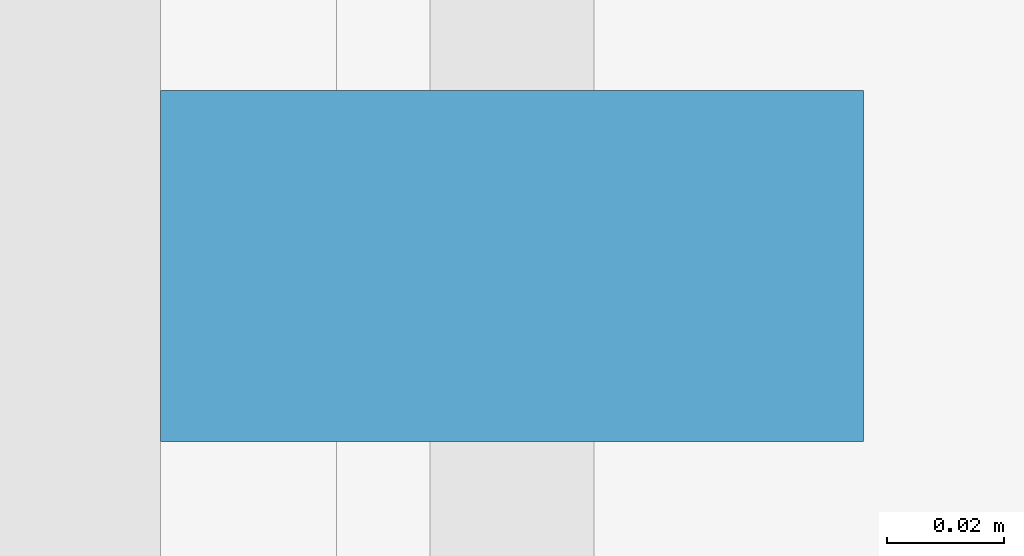
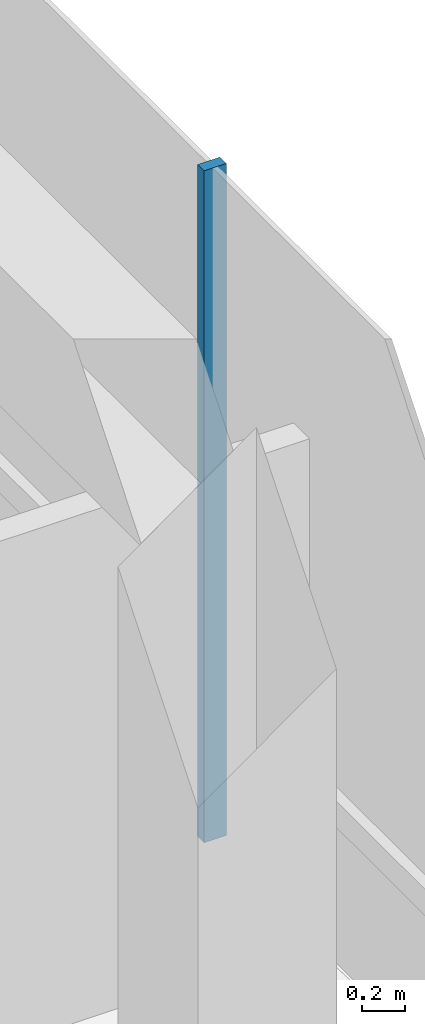
# One storey, part 14 of 23: 1 member, 1 element without a shape of its own.
"""IFC4 building model written with IfcOpenShell, lengths in metres."""

from ifc_helpers import new_model, si_unit, direction, frame, origin, origin_2d, place, context, subcontext, project, spatial, rectangle, extrude, material, layer, layer_set, material_profile, profile_set, type_object, element, aggregate, save


model = new_model("IFC4")

# Units and contexts
model_context = context("Model", 3, precision=1e-05, world=origin(), true_north=direction((0.0, 1.0)))
body_context = subcontext(model_context, "Body", "Model", "MODEL_VIEW")
ifc_project = project(units=[si_unit("LENGTHUNIT", "METRE"), si_unit("AREAUNIT", "SQUARE_METRE"), si_unit("VOLUMEUNIT", "CUBIC_METRE"), si_unit("PLANEANGLEUNIT", "RADIAN"), si_unit("MASSUNIT", "GRAM", prefix="KILO")], contexts=[model_context])

# Site, building, storey
site_placement = place(None, origin())
site = spatial("IfcSite", under=ifc_project, at=site_placement, CompositionType="ELEMENT")
building_placement = place(site_placement, origin())
building = spatial("IfcBuilding", under=site, at=building_placement, Name="Welwitschia Terrace Campus", CompositionType="ELEMENT")
storey_placement = place(building_placement, frame((0.0, 0.0, 306.199951171875)))
storey = spatial("IfcBuildingStorey", under=building, at=storey_placement, Name="L68", CompositionType="ELEMENT", Elevation=306.199951171875)

# Curtain wall, member
ifc_material_1 = material(Name="Bronze anodised aluminium", Category="aluminium")
ifc_layer = layer(ifc_material_1, 0.1201171875)
ifc_layer_set = layer_set([ifc_layer], Name="Bronze anodised aluminium")
curtain_wall_type = type_object("IfcCurtainWallType", Name="Curtain wall CW2 tower 6000", PredefinedType="NOTDEFINED", material=ifc_layer_set)
curtain_wall_placement = place(storey_placement, origin())
curtain_wall = element("IfcCurtainWall", 1, at=curtain_wall_placement, inside=storey, type_object=curtain_wall_type, Name="CW L68.7.0", PredefinedType="NOTDEFINED")
ifc_material_2 = material(Name="Bronze anodised aluminium", Category="aluminium")
ifc_material_profile = material_profile(ifc_material_2, rectangle(XDim=0.1201171875, YDim=0.06005859375, at=origin_2d()))
ifc_profile_set = profile_set([ifc_material_profile], Name="Bronze anodised aluminium")
member_type = type_object("IfcMemberType", Name="Mullion 60x120", PredefinedType="MULLION", material=ifc_profile_set)
member_placement = place(storey_placement, frame((25.030029296875, 45.92626953125, 0.0), z_axis=(0.0, 0.0, 1.0), x_axis=(-1.0, 0.0, 0.0)))
member = element("IfcMember", 2, at=member_placement, type_object=member_type, Name="Mullion L68.7.0.3", PredefinedType="MULLION", context=body_context, shape_type="SweptSolid", body=[
    extrude(rectangle(XDim=0.1201171875, YDim=0.06005859375, at=origin_2d()), origin(), (0.0, 0.0, 1.0), 3.85009765625),
])
aggregate(curtain_wall, [member])

save(model, "model.ifc")
